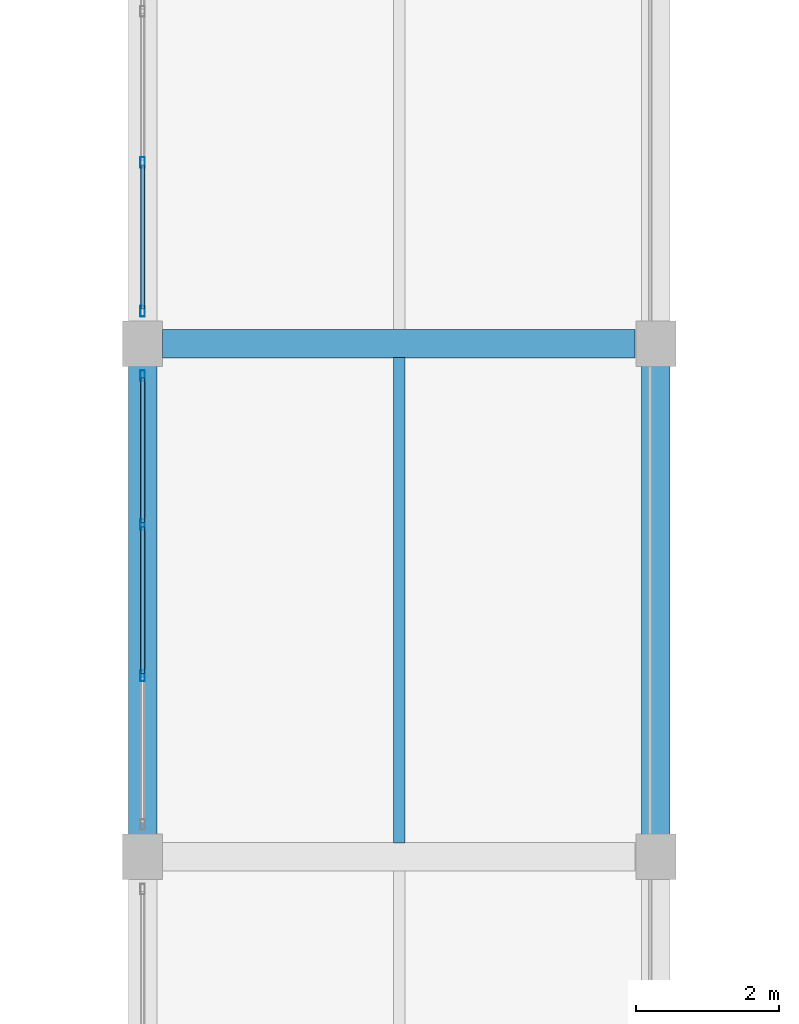
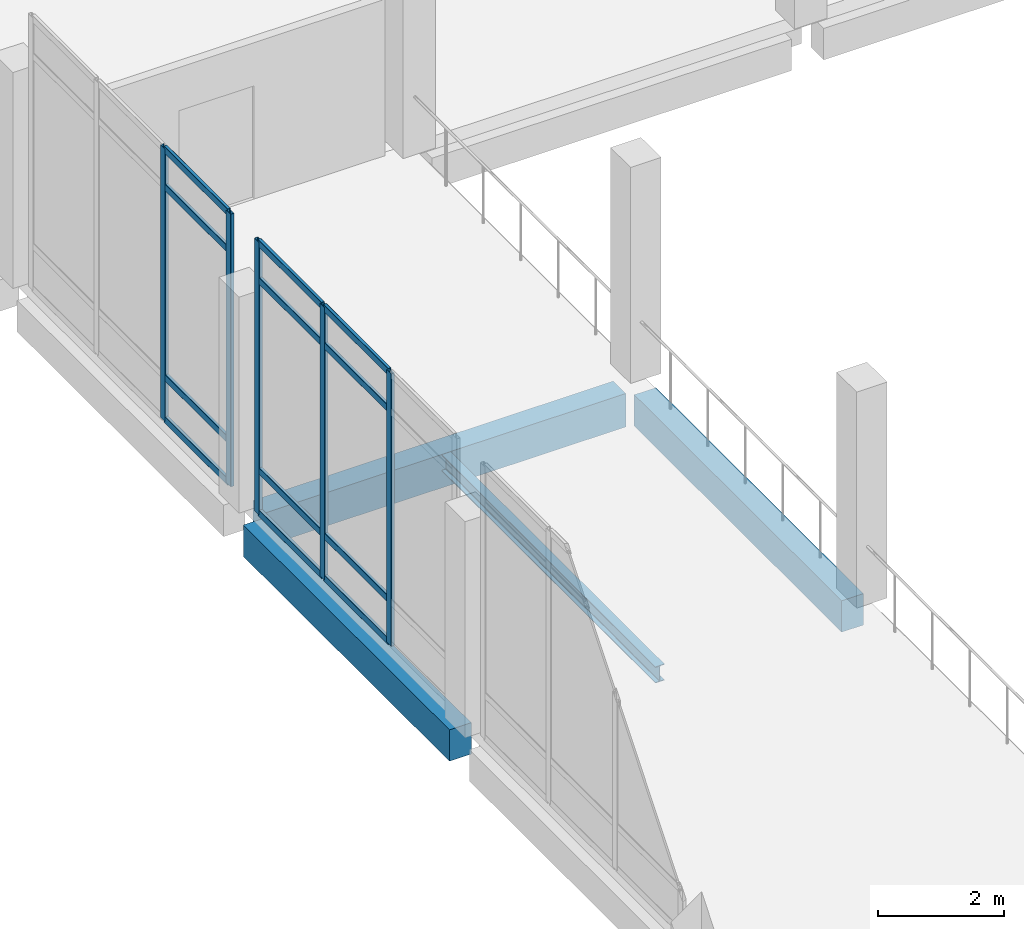
# One storey, part 97 of 158: 17 members, 4 beams, 2 elements without a shape of their own.
"""IFC4 building model written with IfcOpenShell, lengths in metres."""

from ifc_helpers import new_model, si_unit, direction, frame, origin, origin_2d, place, context, subcontext, project, spatial, rectangle, hollow_rectangle, i_section, extrude, material, material_profile, profile_set, type_object, element, aggregate, save


model = new_model("IFC4")

# Units and contexts
model_context = context("Model", 3, precision=1e-05, world=origin(), true_north=direction((0.0, 1.0)))
body_context = subcontext(model_context, "Body", "Model", "MODEL_VIEW")
ifc_project = project(units=[si_unit("LENGTHUNIT", "METRE"), si_unit("AREAUNIT", "SQUARE_METRE"), si_unit("VOLUMEUNIT", "CUBIC_METRE"), si_unit("PLANEANGLEUNIT", "RADIAN"), si_unit("MASSUNIT", "GRAM", prefix="KILO")], contexts=[model_context])

# Site, building, storey
site_placement = place(None, origin())
site = spatial("IfcSite", under=ifc_project, at=site_placement, CompositionType="ELEMENT")
building_placement = place(site_placement, origin())
building = spatial("IfcBuilding", under=site, at=building_placement, Name="Lusvemor Sports Hall", CompositionType="ELEMENT")
storey_placement = place(building_placement, frame((0.0, 0.0, 10.800048828125)))
storey = spatial("IfcBuildingStorey", under=building, at=storey_placement, Name="L02", CompositionType="ELEMENT", Elevation=10.800048828125)

# Beam
ifc_material_1 = material(Name="Concrete C40/50", Category="concrete")
ifc_material_profile_1 = material_profile(ifc_material_1, rectangle(XDim=0.39990234375, YDim=0.64990234375, at=origin_2d()), Name="RC400x650")
ifc_profile_set_1 = profile_set([ifc_material_profile_1], Name="Concrete C40/50")
beam_type_1 = type_object("IfcBeamType", Name="BEAM_RC_650", PredefinedType="BEAM", material=ifc_profile_set_1)
beam_1_placement = place(storey_placement, frame((133.47607421875, 68.39990234375, -0.5849609375), z_axis=(1.0, 0.0, 0.0), x_axis=(0.0, 1.0, 0.0)))
element("IfcBeam", 1, at=beam_1_placement, inside=storey, type_object=beam_type_1, Name="Beam L02 J:15-16", PredefinedType="BEAM", context=body_context, shape_type="SweptSolid", body=[
    extrude(rectangle(XDim=0.39990234375, YDim=0.64990234375, at=origin_2d()), origin(), (0.0, 0.0, 1.0), 6.6279296875),
])

# Curtain wall, members
ifc_material_2 = material(Name="Thermally broken bronze-anodized aluminium", Category="aluminium")
curtain_wall_type = type_object("IfcCurtainWallType", Name="CW_CLIMB_D", PredefinedType="NOTDEFINED", material=ifc_material_2)
curtain_wall_1_placement = place(storey_placement, origin())
curtain_wall_1 = element("IfcCurtainWall", 2, at=curtain_wall_1_placement, inside=storey, type_object=curtain_wall_type, Name="Curtain Wall CW-V3W-L02-2", PredefinedType="NOTDEFINED")
ifc_material_3 = material(Name="Thermally broken bronze-anodized aluminium", Category="aluminium")
ifc_material_profile_2 = material_profile(ifc_material_3, hollow_rectangle(XDim=0.06494140625, YDim=0.14990234375, WallThickness=0.00390625, InnerFilletRadius=0.00390625, OuterFilletRadius=0.008056640625, at=origin_2d()), Name="CWMUL150x65x4")
ifc_profile_set_2 = profile_set([ifc_material_profile_2], Name="Thermally broken bronze-anodized aluminium")
member_type_1 = type_object("IfcMemberType", Name="CW_MUL_B", PredefinedType="MULLION", material=ifc_profile_set_2)
member_1_placement = place(storey_placement, frame((133.199951171875, 63.739990234375, 0.0), z_axis=(0.0, 0.0, 1.0), x_axis=(-1.0, 0.0, 0.0)))
member_1 = element("IfcMember", 3, at=member_1_placement, type_object=member_type_1, Name="CW04 mullion 2", PredefinedType="MULLION", context=body_context, shape_type="SweptSolid", body=[
    extrude(hollow_rectangle(XDim=0.06494140625, YDim=0.14990234375, WallThickness=0.00390625, InnerFilletRadius=0.00390625, OuterFilletRadius=0.008056640625, at=origin_2d()), origin(), (0.0, 0.0, 1.0), 5.300048828125),
])
member_2_placement = place(storey_placement, frame((133.199951171875, 65.860107421875, 0.0), z_axis=(0.0, 0.0, 1.0), x_axis=(-1.0, 0.0, 0.0)))
member_2 = element("IfcMember", 4, at=member_2_placement, type_object=member_type_1, Name="CW04 mullion 3", PredefinedType="MULLION", context=body_context, shape_type="SweptSolid", body=[
    extrude(hollow_rectangle(XDim=0.06494140625, YDim=0.14990234375, WallThickness=0.00390625, InnerFilletRadius=0.00390625, OuterFilletRadius=0.008056640625, at=origin_2d()), origin(), (0.0, 0.0, 1.0), 5.300048828125),
])
member_3_placement = place(storey_placement, frame((133.199951171875, 67.947509765625, 0.0), z_axis=(0.0, 0.0, 1.0), x_axis=(-1.0, 0.0, 0.0)))
member_3 = element("IfcMember", 5, at=member_3_placement, type_object=member_type_1, Name="CW04 mullion 4", PredefinedType="MULLION", context=body_context, shape_type="SweptSolid", body=[
    extrude(hollow_rectangle(XDim=0.06494140625, YDim=0.14990234375, WallThickness=0.00390625, InnerFilletRadius=0.00390625, OuterFilletRadius=0.008056640625, at=origin_2d()), origin(), (0.0, 0.0, 1.0), 5.300048828125),
])

curtain_wall_2_placement = place(storey_placement, origin())
curtain_wall_2 = element("IfcCurtainWall", 6, at=curtain_wall_2_placement, inside=storey, type_object=curtain_wall_type, Name="Curtain Wall CW-V3W-L02-3", PredefinedType="NOTDEFINED")
member_4_placement = place(storey_placement, frame((133.199951171875, 68.8525390625, 0.0), z_axis=(0.0, 0.0, 1.0), x_axis=(-1.0, 0.0, 0.0)))
member_4 = element("IfcMember", 7, at=member_4_placement, type_object=member_type_1, Name="CW04 mullion 1", PredefinedType="MULLION", context=body_context, shape_type="SweptSolid", body=[
    extrude(hollow_rectangle(XDim=0.06494140625, YDim=0.14990234375, WallThickness=0.00390625, InnerFilletRadius=0.00390625, OuterFilletRadius=0.008056640625, at=origin_2d()), origin(), (0.0, 0.0, 1.0), 5.300048828125),
])
member_5_placement = place(storey_placement, frame((133.199951171875, 70.93994140625, 0.0), z_axis=(0.0, 0.0, 1.0), x_axis=(-1.0, 0.0, 0.0)))
member_5 = element("IfcMember", 8, at=member_5_placement, type_object=member_type_1, Name="CW04 mullion 2", PredefinedType="MULLION", context=body_context, shape_type="SweptSolid", body=[
    extrude(hollow_rectangle(XDim=0.06494140625, YDim=0.14990234375, WallThickness=0.00390625, InnerFilletRadius=0.00390625, OuterFilletRadius=0.008056640625, at=origin_2d()), origin(), (0.0, 0.0, 1.0), 5.300048828125),
])

# Member
ifc_material_4 = material(Name="Thermally broken bronze-anodized aluminium", Category="aluminium")
ifc_material_profile_3 = material_profile(ifc_material_4, hollow_rectangle(XDim=0.06005859375, YDim=0.135009765625, WallThickness=0.00390625, InnerFilletRadius=0.00390625, OuterFilletRadius=0.008056640625, at=origin_2d()), Name="CWTRN135x60x4")
ifc_profile_set_3 = profile_set([ifc_material_profile_3], Name="Thermally broken bronze-anodized aluminium")
member_type_2 = type_object("IfcMemberType", Name="CW_TRN_B", PredefinedType="USERDEFINED", material=ifc_profile_set_3)
member_6_placement = place(storey_placement, frame((133.199951171875, 63.7724609375, 0.030029296875), z_axis=(0.0, 1.0, 0.0), x_axis=(-1.0, 0.0, 0.0)))
member_6 = element("IfcMember", 9, at=member_6_placement, type_object=member_type_2, Name="CW04 transom 2.1", ObjectType="TRANSOM", PredefinedType="USERDEFINED", context=body_context, shape_type="SweptSolid", body=[
    extrude(hollow_rectangle(XDim=0.06005859375, YDim=0.135009765625, WallThickness=0.00390625, InnerFilletRadius=0.00390625, OuterFilletRadius=0.008056640625, at=origin_2d()), origin(), (0.0, 0.0, 1.0), 2.054931640625),
])

member_7_placement = place(storey_placement, frame((133.199951171875, 63.7724609375, 0.849853515625), z_axis=(0.0, 1.0, 0.0), x_axis=(-1.0, 0.0, 0.0)))
member_7 = element("IfcMember", 10, at=member_7_placement, type_object=member_type_2, Name="CW04 transom 2.2", ObjectType="TRANSOM", PredefinedType="USERDEFINED", context=body_context, shape_type="SweptSolid", body=[
    extrude(hollow_rectangle(XDim=0.06005859375, YDim=0.135009765625, WallThickness=0.00390625, InnerFilletRadius=0.00390625, OuterFilletRadius=0.008056640625, at=origin_2d()), origin(), (0.0, 0.0, 1.0), 2.054931640625),
])

member_8_placement = place(storey_placement, frame((133.199951171875, 63.7724609375, 4.550048828125), z_axis=(0.0, 1.0, 0.0), x_axis=(-1.0, 0.0, 0.0)))
member_8 = element("IfcMember", 11, at=member_8_placement, type_object=member_type_2, Name="CW04 transom 2.3", ObjectType="TRANSOM", PredefinedType="USERDEFINED", context=body_context, shape_type="SweptSolid", body=[
    extrude(hollow_rectangle(XDim=0.06005859375, YDim=0.135009765625, WallThickness=0.00390625, InnerFilletRadius=0.00390625, OuterFilletRadius=0.008056640625, at=origin_2d()), origin(), (0.0, 0.0, 1.0), 2.054931640625),
])

member_9_placement = place(storey_placement, frame((133.199951171875, 63.7724609375, 5.27001953125), z_axis=(0.0, 1.0, 0.0), x_axis=(-1.0, 0.0, 0.0)))
member_9 = element("IfcMember", 12, at=member_9_placement, type_object=member_type_2, Name="CW04 transom 2.4", ObjectType="TRANSOM", PredefinedType="USERDEFINED", context=body_context, shape_type="SweptSolid", body=[
    extrude(hollow_rectangle(XDim=0.06005859375, YDim=0.135009765625, WallThickness=0.00390625, InnerFilletRadius=0.00390625, OuterFilletRadius=0.008056640625, at=origin_2d()), origin(), (0.0, 0.0, 1.0), 2.054931640625),
])

member_10_placement = place(storey_placement, frame((133.199951171875, 65.892578125, 0.030029296875), z_axis=(0.0, 1.0, 0.0), x_axis=(-1.0, 0.0, 0.0)))
member_10 = element("IfcMember", 13, at=member_10_placement, type_object=member_type_2, Name="CW04 transom 3.1", ObjectType="TRANSOM", PredefinedType="USERDEFINED", context=body_context, shape_type="SweptSolid", body=[
    extrude(hollow_rectangle(XDim=0.06005859375, YDim=0.135009765625, WallThickness=0.00390625, InnerFilletRadius=0.00390625, OuterFilletRadius=0.008056640625, at=origin_2d()), origin(), (0.0, 0.0, 1.0), 2.0224609375),
])

member_11_placement = place(storey_placement, frame((133.199951171875, 65.892578125, 0.849853515625), z_axis=(0.0, 1.0, 0.0), x_axis=(-1.0, 0.0, 0.0)))
member_11 = element("IfcMember", 14, at=member_11_placement, type_object=member_type_2, Name="CW04 transom 3.2", ObjectType="TRANSOM", PredefinedType="USERDEFINED", context=body_context, shape_type="SweptSolid", body=[
    extrude(hollow_rectangle(XDim=0.06005859375, YDim=0.135009765625, WallThickness=0.00390625, InnerFilletRadius=0.00390625, OuterFilletRadius=0.008056640625, at=origin_2d()), origin(), (0.0, 0.0, 1.0), 2.0224609375),
])

member_12_placement = place(storey_placement, frame((133.199951171875, 65.892578125, 4.550048828125), z_axis=(0.0, 1.0, 0.0), x_axis=(-1.0, 0.0, 0.0)))
member_12 = element("IfcMember", 15, at=member_12_placement, type_object=member_type_2, Name="CW04 transom 3.3", ObjectType="TRANSOM", PredefinedType="USERDEFINED", context=body_context, shape_type="SweptSolid", body=[
    extrude(hollow_rectangle(XDim=0.06005859375, YDim=0.135009765625, WallThickness=0.00390625, InnerFilletRadius=0.00390625, OuterFilletRadius=0.008056640625, at=origin_2d()), origin(), (0.0, 0.0, 1.0), 2.0224609375),
])

member_13_placement = place(storey_placement, frame((133.199951171875, 65.892578125, 5.27001953125), z_axis=(0.0, 1.0, 0.0), x_axis=(-1.0, 0.0, 0.0)))
member_13 = element("IfcMember", 16, at=member_13_placement, type_object=member_type_2, Name="CW04 transom 3.4", ObjectType="TRANSOM", PredefinedType="USERDEFINED", context=body_context, shape_type="SweptSolid", body=[
    extrude(hollow_rectangle(XDim=0.06005859375, YDim=0.135009765625, WallThickness=0.00390625, InnerFilletRadius=0.00390625, OuterFilletRadius=0.008056640625, at=origin_2d()), origin(), (0.0, 0.0, 1.0), 2.0224609375),
])

aggregate(curtain_wall_1, [member_1, member_2, member_3, member_6, member_7, member_8, member_9, member_10, member_11, member_12, member_13])

member_14_placement = place(storey_placement, frame((133.199951171875, 68.885009765625, 0.030029296875), z_axis=(0.0, 1.0, 0.0), x_axis=(-1.0, 0.0, 0.0)))
member_14 = element("IfcMember", 17, at=member_14_placement, type_object=member_type_2, Name="CW04 transom 1.1", ObjectType="TRANSOM", PredefinedType="USERDEFINED", context=body_context, shape_type="SweptSolid", body=[
    extrude(hollow_rectangle(XDim=0.06005859375, YDim=0.135009765625, WallThickness=0.00390625, InnerFilletRadius=0.00390625, OuterFilletRadius=0.008056640625, at=origin_2d()), origin(), (0.0, 0.0, 1.0), 2.0224609375),
])

member_15_placement = place(storey_placement, frame((133.199951171875, 68.885009765625, 0.849853515625), z_axis=(0.0, 1.0, 0.0), x_axis=(-1.0, 0.0, 0.0)))
member_15 = element("IfcMember", 18, at=member_15_placement, type_object=member_type_2, Name="CW04 transom 1.2", ObjectType="TRANSOM", PredefinedType="USERDEFINED", context=body_context, shape_type="SweptSolid", body=[
    extrude(hollow_rectangle(XDim=0.06005859375, YDim=0.135009765625, WallThickness=0.00390625, InnerFilletRadius=0.00390625, OuterFilletRadius=0.008056640625, at=origin_2d()), origin(), (0.0, 0.0, 1.0), 2.0224609375),
])

member_16_placement = place(storey_placement, frame((133.199951171875, 68.885009765625, 4.550048828125), z_axis=(0.0, 1.0, 0.0), x_axis=(-1.0, 0.0, 0.0)))
member_16 = element("IfcMember", 19, at=member_16_placement, type_object=member_type_2, Name="CW04 transom 1.3", ObjectType="TRANSOM", PredefinedType="USERDEFINED", context=body_context, shape_type="SweptSolid", body=[
    extrude(hollow_rectangle(XDim=0.06005859375, YDim=0.135009765625, WallThickness=0.00390625, InnerFilletRadius=0.00390625, OuterFilletRadius=0.008056640625, at=origin_2d()), origin(), (0.0, 0.0, 1.0), 2.0224609375),
])

member_17_placement = place(storey_placement, frame((133.199951171875, 68.885009765625, 5.27001953125), z_axis=(0.0, 1.0, 0.0), x_axis=(-1.0, 0.0, 0.0)))
member_17 = element("IfcMember", 20, at=member_17_placement, type_object=member_type_2, Name="CW04 transom 1.4", ObjectType="TRANSOM", PredefinedType="USERDEFINED", context=body_context, shape_type="SweptSolid", body=[
    extrude(hollow_rectangle(XDim=0.06005859375, YDim=0.135009765625, WallThickness=0.00390625, InnerFilletRadius=0.00390625, OuterFilletRadius=0.008056640625, at=origin_2d()), origin(), (0.0, 0.0, 1.0), 2.0224609375),
])

aggregate(curtain_wall_2, [member_4, member_5, member_14, member_15, member_16, member_17])

# Beams
ifc_material_5 = material(Name="Steel S355", Category="steel")
ifc_material_profile_4 = material_profile(ifc_material_5, i_section(OverallWidth=0.1669921875, OverallDepth=0.31689453125, WebThickness=0.007568359375, FlangeThickness=0.01318359375, FilletRadius=0.014892578125, at=origin_2d()), Name="W310x52.0")
ifc_profile_set_4 = profile_set([ifc_material_profile_4], Name="Steel S355")
beam_type_2 = type_object("IfcBeamType", Name="JOIST_ST_310M", PredefinedType="JOIST", material=ifc_profile_set_4)
beam_2_placement = place(storey_placement, frame((136.800048828125, 61.39599609375, -0.422607421875), z_axis=(0.0, 1.0, 0.0), x_axis=(-1.0, 0.0, 0.0)))
element("IfcBeam", 21, at=beam_2_placement, inside=storey, type_object=beam_type_2, Name="Secondary Joist L02 15-16/H-J #1", PredefinedType="JOIST", context=body_context, shape_type="SweptSolid", body=[
    extrude(i_section(OverallWidth=0.1669921875, OverallDepth=0.31689453125, WebThickness=0.007568359375, FlangeThickness=0.01318359375, FilletRadius=0.014892578125, at=origin_2d()), origin(), (0.0, 0.0, 1.0), 6.80810546875),
])
ifc_material_6 = material(Name="Concrete C40/50", Category="concrete")
ifc_material_profile_5 = material_profile(ifc_material_6, rectangle(XDim=0.39990234375, YDim=0.610107421875, at=origin_2d()), Name="RC400x610")
ifc_profile_set_5 = profile_set([ifc_material_profile_5], Name="Concrete C40/50")
beam_type_3 = type_object("IfcBeamType", Name="SPAND_EXT_650", PredefinedType="SPANDREL", material=ifc_profile_set_5)
beam_3_placement = place(storey_placement, frame((133.199951171875, 61.51611328125, -0.56494140625), z_axis=(0.0, 1.0, 0.0), x_axis=(-1.0, 0.0, 0.0)))
element("IfcBeam", 22, at=beam_3_placement, inside=storey, type_object=beam_type_3, Name="Beam L02 15:H-J", PredefinedType="SPANDREL", context=body_context, shape_type="SweptSolid", body=[
    extrude(rectangle(XDim=0.39990234375, YDim=0.610107421875, at=origin_2d()), origin(), (0.0, 0.0, 1.0), 6.56787109375),
])
beam_4_placement = place(storey_placement, frame((140.39990234375, 61.49609375, -0.56494140625), z_axis=(0.0, 1.0, 0.0), x_axis=(-1.0, 0.0, 0.0)))
element("IfcBeam", 23, at=beam_4_placement, inside=storey, type_object=beam_type_3, Name="Beam L02 16:H-J", PredefinedType="SPANDREL", context=body_context, shape_type="SweptSolid", body=[
    extrude(rectangle(XDim=0.39990234375, YDim=0.610107421875, at=origin_2d()), origin(), (0.0, 0.0, 1.0), 6.60791015625),
])

save(model, "model.ifc")
